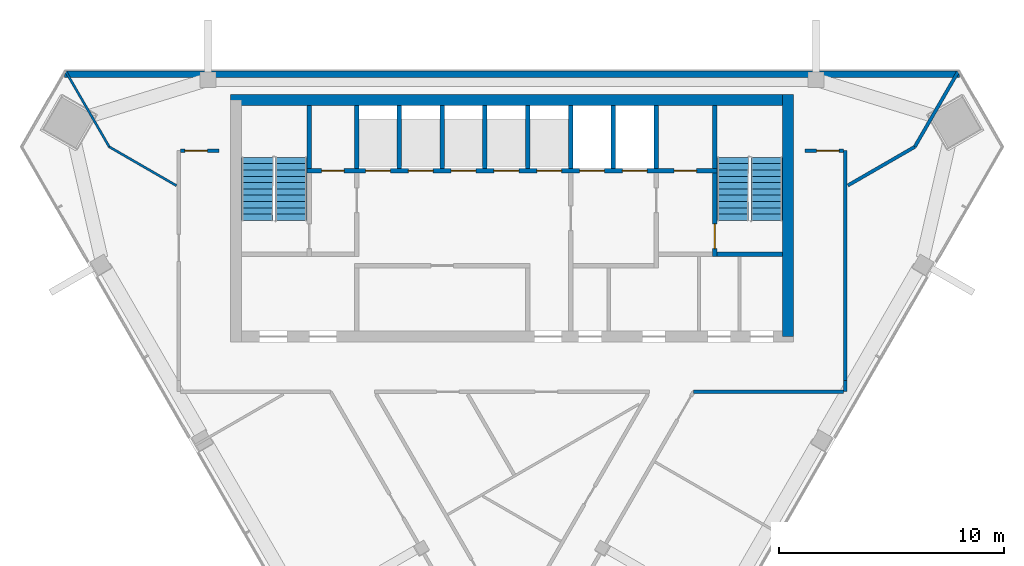
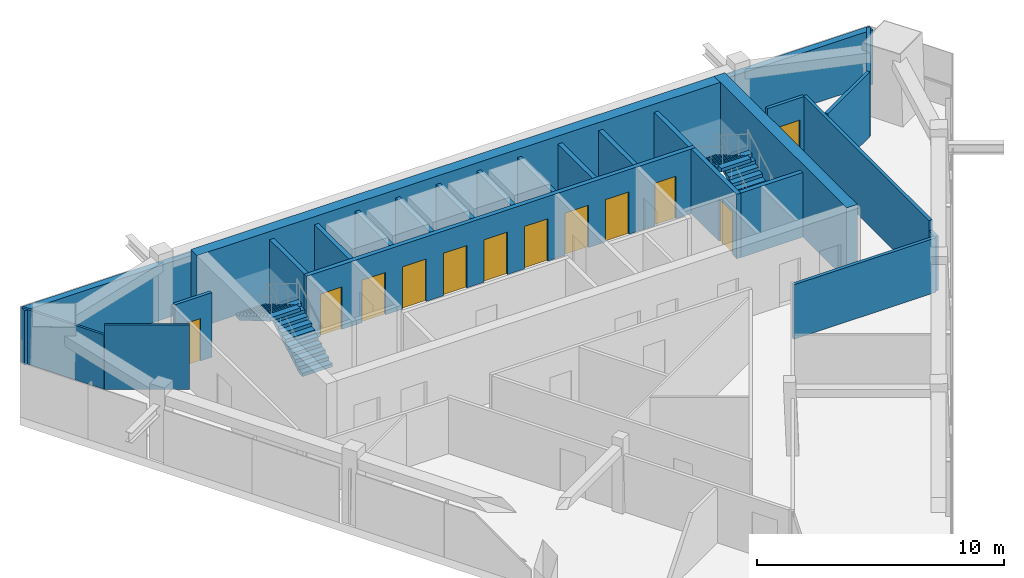
# One storey, part 7 of 9: 25 walls, 12 doors, 4 stair flights, 12 openings, 2 elements without a shape of their own.
"""IFC4 building model written with IfcOpenShell, lengths in metres."""

import ifcopenshell
import ifcopenshell.guid

model = None  # the IFC model being written
_history = None  # IfcOwnerHistory: only IFC2X3 demands one
_inside = {}  # id of a spatial element -> (the spatial element, [elements in it])
_under = {}  # id of a project, library or spatial element -> (it, [spatial elements below it])
_declared = {}  # id of a project -> (the project, [libraries it declares])
_typed = {}  # id of a type object -> (the type object, [elements of that type])
_made_of = {}  # id of a material, layer set ... -> (it, [elements and type objects made of it])


def new_model(schema):
    """Start an empty IFC model of exactly this schema.

    Asked for "IFC4X3", IfcOpenShell would pick the latest addendum, in which some entities
    have other attributes; the version numbers below select the first issue.
    IFC2X3 requires an IfcOwnerHistory on every rooted entity: one is made here for all.
    """
    global model, _history
    if schema == "IFC4X3":
        model = ifcopenshell.file(schema_version=(4, 3, 0, 0))
    else:
        model = ifcopenshell.file(schema=schema)
    _inside.clear()
    _under.clear()
    _declared.clear()
    _typed.clear()
    _made_of.clear()
    _history = None
    if model.schema == "IFC2X3":
        org = make("IfcOrganization", Name="unknown")
        user = make(
            "IfcPersonAndOrganization",
            ThePerson=make("IfcPerson", FamilyName="unknown"),
            TheOrganization=org,
        )
        app = make(
            "IfcApplication",
            ApplicationDeveloper=org,
            Version="unknown",
            ApplicationFullName="unknown",
            ApplicationIdentifier="unknown",
        )
        _history = make(
            "IfcOwnerHistory",
            OwningUser=user,
            OwningApplication=app,
            ChangeAction="ADDED",
            CreationDate=0,
        )
    return model


def make(cls, **values):
    """One entity of the class cls with the attributes given. An attribute that is None is left unset."""
    return model.create_entity(
        cls, **{name: value for name, value in values.items() if value is not None}
    )


def rooted(cls, **values):
    """An entity with a GlobalId (a new one), such as an element, a storey or a relation."""
    return make(cls, GlobalId=ifcopenshell.guid.new(), OwnerHistory=_history, **values)


def si_unit(unit_type, name, prefix=None):
    """IfcSIUnit, for example si_unit("LENGTHUNIT", "METRE", prefix="MILLI")."""
    return make("IfcSIUnit", UnitType=unit_type, Prefix=prefix, Name=name)


def assignment(units):
    """IfcUnitAssignment: the units of a project."""
    return None if units is None else make("IfcUnitAssignment", Units=units)


def point(xyz):
    """IfcCartesianPoint."""
    return None if xyz is None else make("IfcCartesianPoint", Coordinates=xyz)


def direction(xyz):
    """IfcDirection."""
    return None if xyz is None else make("IfcDirection", DirectionRatios=xyz)


def frame(location, z_axis=None, x_axis=None):
    """IfcAxis2Placement3D, a coordinate frame: its origin and axes. An axis left out is left unset."""
    return make(
        "IfcAxis2Placement3D",
        Location=point(location),
        Axis=direction(z_axis),
        RefDirection=direction(x_axis),
    )


def frame_2d(location, x_axis=None):
    """IfcAxis2Placement2D, a coordinate frame in the plane: its origin and x axis."""
    return make(
        "IfcAxis2Placement2D", Location=point(location), RefDirection=direction(x_axis)
    )


def origin():
    """The frame at (0, 0, 0) with its axes left unset."""
    return frame((0.0, 0.0, 0.0))


def place(relative_to, where):
    """IfcLocalPlacement: puts the frame where relative to a parent placement (None: the world)."""
    return make(
        "IfcLocalPlacement", PlacementRelTo=relative_to, RelativePlacement=where
    )


def context(
    kind, dimensions, precision=None, world=None, true_north=None, identifier=None
):
    """IfcGeometricRepresentationContext, for example the 3D "Model" context."""
    return make(
        "IfcGeometricRepresentationContext",
        ContextIdentifier=identifier,
        ContextType=kind,
        CoordinateSpaceDimension=dimensions,
        Precision=precision,
        WorldCoordinateSystem=world,
        TrueNorth=true_north,
    )


def subcontext(parent, identifier, kind, view, scale=None):
    """IfcGeometricRepresentationSubContext, for example "Body" below "Model"."""
    return make(
        "IfcGeometricRepresentationSubContext",
        ContextIdentifier=identifier,
        ContextType=kind,
        ParentContext=parent,
        TargetScale=scale,
        TargetView=view,
    )


def project(units=None, contexts=None):
    """IfcProject with its units and contexts."""
    return rooted(
        "IfcProject",
        Name="project",
        RepresentationContexts=contexts,
        UnitsInContext=assignment(units),
    )


def spatial(cls, under=None, at=None, **own):
    """A site, building, storey or space (cls), placed at a placement, below another one or the project."""
    s = rooted(cls, ObjectPlacement=at, **own)
    if under is not None:
        _under.setdefault(under.id(), (under, []))[1].append(s)
    return s


def polyline(points):
    """IfcPolyline through the points."""
    return make("IfcPolyline", Points=[point(p) for p in points])


def profile(cls, at=None, kind="AREA", **sizes):
    """A parametric profile (cls). Its sizes go by their IFC names, for example OverallWidth=200.0."""
    return make(cls, ProfileType=kind, Position=at, **sizes)


def rectangle(**sizes):
    """IfcRectangleProfileDef."""
    return profile("IfcRectangleProfileDef", **sizes)


def outline(outer, holes=None, kind="AREA"):
    """IfcArbitraryClosedProfileDef: a profile drawn as a closed curve; with holes, ...WithVoids."""
    if holes is None:
        return make("IfcArbitraryClosedProfileDef", ProfileType=kind, OuterCurve=outer)
    return make(
        "IfcArbitraryProfileDefWithVoids",
        ProfileType=kind,
        OuterCurve=outer,
        InnerCurves=holes,
    )


def extrude(swept, where, along, depth):
    """IfcExtrudedAreaSolid: the profile swept, set in the frame where, extruded along a direction by depth."""
    return make(
        "IfcExtrudedAreaSolid",
        SweptArea=swept,
        Position=where,
        ExtrudedDirection=direction(along),
        Depth=depth,
    )


def shape(context_of_items, identifier, shape_type, items):
    """IfcShapeRepresentation: the items that make up one representation, for example the "Body"."""
    return make(
        "IfcShapeRepresentation",
        ContextOfItems=context_of_items,
        RepresentationIdentifier=identifier,
        RepresentationType=shape_type,
        Items=items,
    )


def material(Name=None, Category=None):
    """IfcMaterial."""
    return make("IfcMaterial", Name=Name, Category=Category)


def layer(
    of_material, thickness, ventilated=None, Name=None, Category=None, Priority=None
):
    """IfcMaterialLayer: one layer of a wall or slab, of a material (None: an air gap)."""
    return make(
        "IfcMaterialLayer",
        Material=of_material,
        LayerThickness=thickness,
        IsVentilated=ventilated,
        Name=Name,
        Category=Category,
        Priority=Priority,
    )


def layer_set(layers, Name=None):
    """IfcMaterialLayerSet."""
    return make("IfcMaterialLayerSet", MaterialLayers=layers, LayerSetName=Name)


def made_of(thing, what):
    """Note that an element or type object is made of a material, layer set ...; save() writes the relation."""
    if what is not None:
        _made_of.setdefault(what.id(), (what, []))[1].append(thing)
    return thing


def type_object(cls, material=None, **own):
    """A type object (cls), such as IfcWallType, which elements share."""
    return made_of(rooted(cls, **own), material)


def element(
    cls,
    number,
    at=None,
    inside=None,
    cuts=None,
    type_object=None,
    material=None,
    context=None,
    identifier="Body",
    shape_type=None,
    held_by="IfcProductDefinitionShape",
    body=None,
    shapes=None,
    **own,
):
    """One element of the class cls, such as IfcWall. Its Tag is "e" and its number.

    at: its placement. inside: the storey or other place that contains it. cuts: it is an
    opening in that element (IfcRelVoidsElement). A single representation is given by context,
    identifier, shape_type and body (its items); several are given by shapes. held_by: the class
    of the entity that holds the representations. save() writes the other relations.
    """
    e = rooted(cls, Tag="e%d" % number, ObjectPlacement=at, **own)
    if body is not None:
        shapes = [shape(context, identifier, shape_type, body)]
    if shapes is not None:
        e.Representation = make(held_by, Representations=shapes)
    if inside is not None:
        _inside.setdefault(inside.id(), (inside, []))[1].append(e)
    if cuts is not None:
        rooted(
            "IfcRelVoidsElement", RelatingBuildingElement=cuts, RelatedOpeningElement=e
        )
    if type_object is not None:
        _typed.setdefault(type_object.id(), (type_object, []))[1].append(e)
    return made_of(e, material)


def fill(opening, filler):
    """IfcRelFillsElement: the door or window that sits in an opening."""
    return rooted(
        "IfcRelFillsElement",
        RelatingOpeningElement=opening,
        RelatedBuildingElement=filler,
    )


def aggregate(whole, parts):
    """IfcRelAggregates: a whole, such as a stair, and the parts it consists of."""
    return rooted("IfcRelAggregates", RelatingObject=whole, RelatedObjects=parts)


def save(model, path):
    """Write the relations noted so far, then the file.

    IfcRelAggregates (storeys below a building ...), IfcRelContainedInSpatialStructure (elements
    in a storey), IfcRelDefinesByType, IfcRelAssociatesMaterial and IfcRelDeclares: one each for
    every whole, place, type object, material and project.
    """
    for whole, parts in _under.values():
        aggregate(whole, parts)
    for where, things in _inside.values():
        rooted(
            "IfcRelContainedInSpatialStructure",
            RelatedElements=things,
            RelatingStructure=where,
        )
    for kind, things in _typed.values():
        rooted("IfcRelDefinesByType", RelatedObjects=things, RelatingType=kind)
    for what, things in _made_of.values():
        rooted("IfcRelAssociatesMaterial", RelatedObjects=things, RelatingMaterial=what)
    for by, libraries in _declared.values():
        rooted("IfcRelDeclares", RelatingContext=by, RelatedDefinitions=libraries)
    model.write(path)


model = new_model("IFC4")

# Units and contexts
model_context = context("Model", 3, precision=1e-05, world=origin(), true_north=direction((0.0, 1.0)))
body_context = subcontext(model_context, "Body", "Model", "MODEL_VIEW")
ifc_project = project(units=[si_unit("LENGTHUNIT", "METRE"), si_unit("AREAUNIT", "SQUARE_METRE"), si_unit("VOLUMEUNIT", "CUBIC_METRE"), si_unit("PLANEANGLEUNIT", "RADIAN"), si_unit("MASSUNIT", "GRAM", prefix="KILO")], contexts=[model_context])

# Site, building, storey
site_placement = place(None, origin())
site = spatial("IfcSite", under=ifc_project, at=site_placement, CompositionType="ELEMENT")
building_placement = place(site_placement, origin())
building = spatial("IfcBuilding", under=site, at=building_placement, Name="Altiplano Prism Tower", CompositionType="ELEMENT")
storey_placement = place(building_placement, frame((0.0, 0.0, 309.39990234375)))
storey = spatial("IfcBuildingStorey", under=building, at=storey_placement, Name="L80", CompositionType="ELEMENT", Elevation=309.39990234375)

# Walls
ifc_material_1 = material(Name="Concrete C60/75", Category="concrete")
ifc_layer_1 = layer(ifc_material_1, 0.5)
ifc_layer_set_1 = layer_set([ifc_layer_1], Name="Concrete C60/75")
wall_type_1 = type_object("IfcWallType", Name="Core wall 500", PredefinedType="SHEAR", material=ifc_layer_set_1)
wall_1_placement = place(storey_placement, frame((97.25, 93.14990234375, 0.0), z_axis=(0.0, 0.0, 1.0), x_axis=(0.0, 1.0, 0.0)))
element("IfcWall", 1, at=wall_1_placement, inside=storey, type_object=wall_type_1, Name="Core wall E L80", PredefinedType="SHEAR", context=body_context, shape_type="SweptSolid", body=[
    extrude(rectangle(XDim=10.75, YDim=0.5, at=frame_2d((5.375, 0.0))), origin(), (0.0, 0.0, 1.0), 3.60009765625),
])
wall_2_placement = place(storey_placement, frame((97.25, 103.64990234375, 0.0), z_axis=(0.0, 0.0, 1.0), x_axis=(-1.0, 0.0, 0.0)))
element("IfcWall", 2, at=wall_2_placement, inside=storey, type_object=wall_type_1, Name="Core wall N L80", PredefinedType="SHEAR", context=body_context, shape_type="SweptSolid", body=[
    extrude(rectangle(XDim=24.75, YDim=0.5, at=frame_2d((12.375, 0.0))), origin(), (0.0, 0.0, 1.0), 3.60009765625),
])
ifc_material_2 = material(Name="Plasterboard on steel stud", Category="steel")
ifc_layer_2 = layer(ifc_material_2, 0.10009765625)
ifc_layer_set_2 = layer_set([ifc_layer_2], Name="Plasterboard on steel stud")
wall_type_2 = type_object("IfcWallType", Name="Partition 100 wet", PredefinedType="PARTITIONING", material=ifc_layer_set_2)
wall_3_placement = place(storey_placement, frame((70.099365234375, 99.848388671875, 0.0), z_axis=(0.0, 0.0, 1.0), x_axis=(-0.866042610766, 0.499970195449, 0.0)))
element("IfcWall", 3, at=wall_3_placement, inside=storey, type_object=wall_type_2, Name="Partition P03 L80 017", PredefinedType="PARTITIONING", context=body_context, shape_type="SweptSolid", body=[
    extrude(rectangle(XDim=3.440673828125, YDim=0.10009765625, at=frame_2d((1.72021484375, 0.0))), origin(), (0.0, 0.0, 1.0), 3.2001953125),
])
wall_4_placement = place(storey_placement, frame((67.11962890625, 101.568603515625, 0.0), z_axis=(0.0, 0.0, 1.0), x_axis=(-0.500002645523, 0.866023876385, 0.0)))
element("IfcWall", 4, at=wall_4_placement, inside=storey, type_object=wall_type_2, Name="Partition P03 L80 018", PredefinedType="PARTITIONING", context=body_context, shape_type="SweptSolid", body=[
    extrude(rectangle(XDim=3.8466796875, YDim=0.10009765625, at=frame_2d((1.92333984375, 0.0))), origin(), (0.0, 0.0, 1.0), 2.7001953125),
])
ifc_layer_3 = layer(ifc_material_2, 0.14990234375)
ifc_layer_set_3 = layer_set([ifc_layer_3], Name="Plasterboard on steel stud")
wall_type_3 = type_object("IfcWallType", Name="Partition 150 corridor", PredefinedType="PARTITIONING", material=ifc_layer_set_3)
wall_5_placement = place(storey_placement, frame((93.06201171875, 90.699951171875, 0.0), z_axis=(0.0, 0.0, 1.0), x_axis=(1.0, 0.0, 0.0)))
element("IfcWall", 5, at=wall_5_placement, inside=storey, type_object=wall_type_3, Name="Partition P06 L80 007", PredefinedType="PARTITIONING", context=body_context, shape_type="SweptSolid", body=[
    extrude(rectangle(XDim=6.6630859375, YDim=0.14990234375, at=frame_2d((3.33154296875, 0.0))), origin(), (0.0, 0.0, 1.0), 2.7001953125),
])
wall_6_placement = place(storey_placement, frame((99.800048828125, 90.699951171875, 0.0), z_axis=(0.0, 0.0, 1.0), x_axis=(0.0, 1.0, 0.0)))
element("IfcWall", 6, at=wall_6_placement, inside=storey, type_object=wall_type_3, Name="Partition P06 L80 008", PredefinedType="PARTITIONING", context=body_context, shape_type="SweptSolid", body=[
    extrude(rectangle(XDim=0.48779296875, YDim=0.14990234375, at=frame_2d((0.243896484375, 0.0))), origin(), (0.0, 0.0, 1.0), 2.7001953125),
])
wall_7_placement = place(storey_placement, frame((99.800048828125, 91.187744140625, 0.0), z_axis=(0.0, 0.0, 1.0), x_axis=(4.7809146e-05, 0.999999998857, 0.0)))
element("IfcWall", 7, at=wall_7_placement, inside=storey, type_object=wall_type_3, Name="Partition P06 L80 009", PredefinedType="PARTITIONING", context=body_context, shape_type="SweptSolid", body=[
    extrude(rectangle(XDim=10.213134765625, YDim=0.14990234375, at=frame_2d((5.1064453125, 0.0))), origin(), (0.0, 0.0, 1.0), 3.2001953125),
])

# Wall, opening, door
wall_8_placement = place(storey_placement, frame((99.7255859375, 101.40087890625, 0.0), z_axis=(0.0, 0.0, 1.0), x_axis=(-1.0, 0.0, 0.0)))
wall_8 = element("IfcWall", 8, at=wall_8_placement, inside=storey, type_object=wall_type_3, Name="Partition P06 L80 010", PredefinedType="PARTITIONING", context=body_context, shape_type="SweptSolid", body=[
    extrude(rectangle(XDim=1.7255859375, YDim=0.14990234375, at=frame_2d((0.86279296875, 0.0))), origin(), (0.0, 0.0, 1.0), 3.2001953125),
])
opening_1_placement = place(wall_8_placement, frame((0.199951171875, 0.0, 0.0)))
opening_1 = element("IfcOpeningElement", 9, at=opening_1_placement, cuts=wall_8, Name="Opening D2387", PredefinedType="OPENING", context=body_context, shape_type="SweptSolid", body=[
    extrude(rectangle(XDim=1.0, YDim=2.10009765625, at=frame_2d((0.5, 1.050048828125))), frame((0.0, 0.08544921875, 0.0), z_axis=(0.0, -1.0, 0.0), x_axis=(1.0, 0.0, 0.0)), (0.0, 0.0, 1.0), 0.1708984375),
])
ifc_material_3 = material(Name="Timber", Category="wood")
door_type_1 = type_object("IfcDoorType", Name="Room door 1000 x 2100", OperationType="NOTDEFINED", PredefinedType="NOTDEFINED", material=ifc_material_3)
door_1_placement = place(opening_1_placement, origin())
door_1 = element("IfcDoor", 10, at=door_1_placement, inside=storey, type_object=door_type_1, Name="Door D2387", OperationType="SINGLE_SWING_LEFT", OverallHeight=2.10009765625, OverallWidth=1.0, PredefinedType="NOTDEFINED", context=body_context, shape_type="SweptSolid", body=[
    extrude(rectangle(XDim=1.0, YDim=2.10009765625, at=frame_2d((0.5, 1.050048828125))), frame((0.0, 0.02490234375, 0.0), z_axis=(0.0, -1.0, 0.0), x_axis=(1.0, 0.0, 0.0)), (0.0, 0.0, 1.0), 0.050048828125),
])
fill(opening_1, door_1)

wall_9_placement = place(storey_placement, frame((72.0, 101.40087890625, 0.0), z_axis=(0.0, 0.0, 1.0), x_axis=(-1.0, 0.0, 0.0)))
wall_9 = element("IfcWall", 11, at=wall_9_placement, inside=storey, type_object=wall_type_3, Name="Partition P06 L80 011", PredefinedType="PARTITIONING", context=body_context, shape_type="SweptSolid", body=[
    extrude(rectangle(XDim=1.7255859375, YDim=0.14990234375, at=frame_2d((0.86279296875, 0.0))), origin(), (0.0, 0.0, 1.0), 3.2001953125),
])
opening_2_placement = place(wall_9_placement, frame((0.52587890625, 0.0, 0.0)))
opening_2 = element("IfcOpeningElement", 12, at=opening_2_placement, cuts=wall_9, Name="Opening D2388", PredefinedType="OPENING", context=body_context, shape_type="SweptSolid", body=[
    extrude(rectangle(XDim=1.0, YDim=2.10009765625, at=frame_2d((0.5, 1.050048828125))), frame((0.0, 0.08544921875, 0.0), z_axis=(0.0, -1.0, 0.0), x_axis=(1.0, 0.0, 0.0)), (0.0, 0.0, 1.0), 0.1708984375),
])
door_type_2 = type_object("IfcDoorType", Name="Store door 1000 x 2100", OperationType="NOTDEFINED", PredefinedType="NOTDEFINED", material=ifc_material_3)
door_2_placement = place(opening_2_placement, origin())
door_2 = element("IfcDoor", 13, at=door_2_placement, inside=storey, type_object=door_type_2, Name="Door D2388", OperationType="SINGLE_SWING_LEFT", OverallHeight=2.10009765625, OverallWidth=1.0, PredefinedType="NOTDEFINED", context=body_context, shape_type="SweptSolid", body=[
    extrude(rectangle(XDim=1.0, YDim=2.10009765625, at=frame_2d((0.5, 1.050048828125))), frame((0.0, 0.02490234375, 0.0), z_axis=(0.0, -1.0, 0.0), x_axis=(1.0, 0.0, 0.0)), (0.0, 0.0, 1.0), 0.050048828125),
])
fill(opening_2, door_2)

# Walls
ifc_layer_4 = layer(ifc_material_2, 0.14990234375)
ifc_layer_set_4 = layer_set([ifc_layer_4], Name="Plasterboard on steel stud")
wall_type_4 = type_object("IfcWallType", Name="Partition 150 party", PredefinedType="PARTITIONING", material=ifc_layer_set_4)
wall_10_placement = place(storey_placement, frame((104.8037109375, 104.89990234375, 0.0), z_axis=(0.0, 0.0, 1.0), x_axis=(-0.500002645523, -0.866023876385, 0.0)))
element("IfcWall", 14, at=wall_10_placement, inside=storey, type_object=wall_type_4, Name="Partition P01 L80 023", PredefinedType="PARTITIONING", context=body_context, shape_type="SweptSolid", body=[
    extrude(rectangle(XDim=3.8466796875, YDim=0.14990234375, at=frame_2d((1.92333984375, 0.0))), origin(), (0.0, 0.0, 1.0), 2.7001953125),
])
wall_11_placement = place(storey_placement, frame((102.88037109375, 101.568603515625, 0.0), z_axis=(0.0, 0.0, 1.0), x_axis=(-0.86602895729, -0.499993845097, 0.0)))
element("IfcWall", 15, at=wall_11_placement, inside=storey, type_object=wall_type_4, Name="Partition P01 L80 024", PredefinedType="PARTITIONING", context=body_context, shape_type="SweptSolid", body=[
    extrude(rectangle(XDim=3.42626953125, YDim=0.14990234375, at=frame_2d((1.713134765625, 0.0))), origin(), (0.0, 0.0, 1.0), 3.2001953125),
])
ifc_layer_5 = layer(ifc_material_1, 0.199951171875)
ifc_layer_set_5 = layer_set([ifc_layer_5], Name="Concrete C60/75")
wall_type_5 = type_object("IfcWallType", Name="Shaft wall 200", PredefinedType="SOLIDWALL", material=ifc_layer_set_5)
for number, where, z_axis, x_axis, name in (
    (16, (78.10009765625, 100.60009765625, 0.0), (0.0, 0.0, 1.0), (0.0, 1.0, 0.0), "Shaft wall L80"),
    (17, (80.0, 100.60009765625, 0.0), (0.0, 0.0, 1.0), (0.0, 1.0, 0.0), "Shaft wall L80"),
    (18, (81.89990234375, 100.60009765625, 0.0), (0.0, 0.0, 1.0), (0.0, 1.0, 0.0), "Shaft wall L80"),
    (19, (83.800048828125, 100.60009765625, 0.0), (0.0, 0.0, 1.0), (0.0, 1.0, 0.0), "Shaft wall L80"),
    (20, (85.699951171875, 100.60009765625, 0.0), (0.0, 0.0, 1.0), (0.0, 1.0, 0.0), "Shaft wall L80"),
    (21, (87.60009765625, 100.60009765625, 0.0), (0.0, 0.0, 1.0), (0.0, 1.0, 0.0), "Shaft wall L80"),
    (22, (89.5, 100.60009765625, 0.0), (0.0, 0.0, 1.0), (0.0, 1.0, 0.0), "Shaft wall L80"),
    (23, (91.39990234375, 100.60009765625, 0.0), (0.0, 0.0, 1.0), (0.0, 1.0, 0.0), "Shaft wall L80"),
):
    element("IfcWall", number, at=place(storey_placement, frame(where, z_axis=z_axis, x_axis=x_axis)), inside=storey, type_object=wall_type_5, Name=name, PredefinedType="SOLIDWALL", context=body_context, shape_type="SweptSolid", body=[
        extrude(rectangle(XDim=2.7998046875, YDim=0.199951171875, at=frame_2d((1.39990234375, 0.0))), origin(), (0.0, 0.0, 1.0), 3.2001953125),
    ])

# Wall, opening, door
ifc_layer_6 = layer(ifc_material_1, 0.199951171875)
ifc_layer_set_6 = layer_set([ifc_layer_6], Name="Concrete C60/75")
wall_type_6 = type_object("IfcWallType", Name="Stair wall 200", PredefinedType="SOLIDWALL", material=ifc_layer_set_6)
wall_12_placement = place(storey_placement, frame((94.0, 96.699951171875, 0.0), z_axis=(0.0, 0.0, 1.0), x_axis=(0.0, 1.0, 0.0)))
wall_12 = element("IfcWall", 24, at=wall_12_placement, inside=storey, type_object=wall_type_6, Name="Stair wall L80", PredefinedType="SOLIDWALL", context=body_context, shape_type="SweptSolid", body=[
    extrude(rectangle(XDim=3.699951171875, YDim=0.199951171875, at=frame_2d((1.85009765625, 0.0))), origin(), (0.0, 0.0, 1.0), 3.2001953125),
])
opening_3_placement = place(wall_12_placement, frame((0.35009765625, 0.0, 0.0)))
opening_3 = element("IfcOpeningElement", 25, at=opening_3_placement, cuts=wall_12, Name="Opening D3709", PredefinedType="OPENING", context=body_context, shape_type="SweptSolid", body=[
    extrude(rectangle(XDim=1.10009765625, YDim=2.10009765625, at=frame_2d((0.550048828125, 1.050048828125))), frame((0.0, 0.1103515625, 0.0), z_axis=(0.0, -1.0, 0.0), x_axis=(1.0, 0.0, 0.0)), (0.0, 0.0, 1.0), 0.220947265625),
])
ifc_material_4 = material(Name="Fire-rated steel door", Category="steel")
door_type_3 = type_object("IfcDoorType", Name="Stair fire door 1100 x 2100", OperationType="NOTDEFINED", PredefinedType="NOTDEFINED", material=ifc_material_4)
door_3_placement = place(opening_3_placement, origin())
door_3 = element("IfcDoor", 26, at=door_3_placement, inside=storey, type_object=door_type_3, Name="Stair fire door D3709", OperationType="SINGLE_SWING_LEFT", OverallHeight=2.10009765625, OverallWidth=1.10009765625, PredefinedType="NOTDEFINED", context=body_context, shape_type="SweptSolid", body=[
    extrude(rectangle(XDim=1.10009765625, YDim=2.10009765625, at=frame_2d((0.550048828125, 1.050048828125))), frame((0.0, 0.02490234375, 0.0), z_axis=(0.0, -1.0, 0.0), x_axis=(1.0, 0.0, 0.0)), (0.0, 0.0, 1.0), 0.050048828125),
])
fill(opening_3, door_3)

# Wall
wall_13_placement = place(storey_placement, frame((94.10009765625, 96.800048828125, 0.0), z_axis=(0.0, 0.0, 1.0), x_axis=(1.0, 0.0, 0.0)))
element("IfcWall", 27, at=wall_13_placement, inside=storey, type_object=wall_type_6, Name="Stair wall L80", PredefinedType="SOLIDWALL", context=body_context, shape_type="SweptSolid", body=[
    extrude(rectangle(XDim=2.89990234375, YDim=0.199951171875, at=frame_2d((1.449951171875, 0.0))), origin(), (0.0, 0.0, 1.0), 3.2001953125),
])

# Wall, openings, doors
wall_14_placement = place(storey_placement, frame((75.89990234375, 100.5, 0.0), z_axis=(0.0, 0.0, 1.0), x_axis=(1.0, 0.0, 0.0)))
wall_14 = element("IfcWall", 28, at=wall_14_placement, inside=storey, type_object=wall_type_6, Name="Stair wall L80", PredefinedType="SOLIDWALL", context=body_context, shape_type="SweptSolid", body=[
    extrude(rectangle(XDim=18.2001953125, YDim=0.199951171875, at=frame_2d((9.10009765625, 0.0))), origin(), (0.0, 0.0, 1.0), 3.2001953125),
])
opening_4_placement = place(wall_14_placement, frame((2.60009765625, 0.0, 0.0)))
opening_4 = element("IfcOpeningElement", 29, at=opening_4_placement, cuts=wall_14, Name="Opening LD-HL1-L80", PredefinedType="OPENING", context=body_context, shape_type="SweptSolid", body=[
    extrude(rectangle(XDim=1.10009765625, YDim=2.10009765625, at=frame_2d((0.550048828125, 1.050048828125))), frame((0.0, 0.1103515625, 0.0), z_axis=(0.0, -1.0, 0.0), x_axis=(1.0, 0.0, 0.0)), (0.0, 0.0, 1.0), 0.220947265625),
])
opening_5_placement = place(wall_14_placement, frame((4.5, 0.0, 0.0)))
opening_5 = element("IfcOpeningElement", 30, at=opening_5_placement, cuts=wall_14, Name="Opening LD-HL2-L80", PredefinedType="OPENING", context=body_context, shape_type="SweptSolid", body=[
    extrude(rectangle(XDim=1.10009765625, YDim=2.10009765625, at=frame_2d((0.550048828125, 1.050048828125))), frame((0.0, 0.1103515625, 0.0), z_axis=(0.0, -1.0, 0.0), x_axis=(1.0, 0.0, 0.0)), (0.0, 0.0, 1.0), 0.220947265625),
])
opening_6_placement = place(wall_14_placement, frame((6.39990234375, 0.0, 0.0)))
opening_6 = element("IfcOpeningElement", 31, at=opening_6_placement, cuts=wall_14, Name="Opening LD-HL3-L80", PredefinedType="OPENING", context=body_context, shape_type="SweptSolid", body=[
    extrude(rectangle(XDim=1.10009765625, YDim=2.10009765625, at=frame_2d((0.550048828125, 1.050048828125))), frame((0.0, 0.1103515625, 0.0), z_axis=(0.0, -1.0, 0.0), x_axis=(1.0, 0.0, 0.0)), (0.0, 0.0, 1.0), 0.220947265625),
])
opening_7_placement = place(wall_14_placement, frame((8.300048828125, 0.0, 0.0)))
opening_7 = element("IfcOpeningElement", 32, at=opening_7_placement, cuts=wall_14, Name="Opening LD-HL4-L80", PredefinedType="OPENING", context=body_context, shape_type="SweptSolid", body=[
    extrude(rectangle(XDim=1.10009765625, YDim=2.10009765625, at=frame_2d((0.550048828125, 1.050048828125))), frame((0.0, 0.1103515625, 0.0), z_axis=(0.0, -1.0, 0.0), x_axis=(1.0, 0.0, 0.0)), (0.0, 0.0, 1.0), 0.220947265625),
])
opening_8_placement = place(wall_14_placement, frame((10.199951171875, 0.0, 0.0)))
opening_8 = element("IfcOpeningElement", 33, at=opening_8_placement, cuts=wall_14, Name="Opening LD-HL5-L80", PredefinedType="OPENING", context=body_context, shape_type="SweptSolid", body=[
    extrude(rectangle(XDim=1.10009765625, YDim=2.10009765625, at=frame_2d((0.550048828125, 1.050048828125))), frame((0.0, 0.1103515625, 0.0), z_axis=(0.0, -1.0, 0.0), x_axis=(1.0, 0.0, 0.0)), (0.0, 0.0, 1.0), 0.220947265625),
])
opening_9_placement = place(wall_14_placement, frame((12.10009765625, 0.0, 0.0)))
opening_9 = element("IfcOpeningElement", 34, at=opening_9_placement, cuts=wall_14, Name="Opening LD-FF1-L80", PredefinedType="OPENING", context=body_context, shape_type="SweptSolid", body=[
    extrude(rectangle(XDim=1.10009765625, YDim=2.10009765625, at=frame_2d((0.550048828125, 1.050048828125))), frame((0.0, 0.1103515625, 0.0), z_axis=(0.0, -1.0, 0.0), x_axis=(1.0, 0.0, 0.0)), (0.0, 0.0, 1.0), 0.220947265625),
])
opening_10_placement = place(wall_14_placement, frame((14.0, 0.0, 0.0)))
opening_10 = element("IfcOpeningElement", 35, at=opening_10_placement, cuts=wall_14, Name="Opening LD-FF2-L80", PredefinedType="OPENING", context=body_context, shape_type="SweptSolid", body=[
    extrude(rectangle(XDim=1.10009765625, YDim=2.10009765625, at=frame_2d((0.550048828125, 1.050048828125))), frame((0.0, 0.1103515625, 0.0), z_axis=(0.0, -1.0, 0.0), x_axis=(1.0, 0.0, 0.0)), (0.0, 0.0, 1.0), 0.220947265625),
])
opening_11_placement = place(wall_14_placement, frame((0.64990234375, 0.0, 0.0)))
opening_11 = element("IfcOpeningElement", 36, at=opening_11_placement, cuts=wall_14, Name="Opening D3716", PredefinedType="OPENING", context=body_context, shape_type="SweptSolid", body=[
    extrude(rectangle(XDim=1.0, YDim=2.10009765625, at=frame_2d((0.5, 1.050048828125))), frame((0.0, 0.1103515625, 0.0), z_axis=(0.0, -1.0, 0.0), x_axis=(1.0, 0.0, 0.0)), (0.0, 0.0, 1.0), 0.220947265625),
])
opening_12_placement = place(wall_14_placement, frame((16.300048828125, 0.0, 0.0)))
opening_12 = element("IfcOpeningElement", 37, at=opening_12_placement, cuts=wall_14, Name="Opening D3717", PredefinedType="OPENING", context=body_context, shape_type="SweptSolid", body=[
    extrude(rectangle(XDim=1.0, YDim=2.10009765625, at=frame_2d((0.5, 1.050048828125))), frame((0.0, 0.1103515625, 0.0), z_axis=(0.0, -1.0, 0.0), x_axis=(1.0, 0.0, 0.0)), (0.0, 0.0, 1.0), 0.220947265625),
])
door_type_4 = type_object("IfcDoorType", Name="Core room door 1000 x 2100", OperationType="NOTDEFINED", PredefinedType="NOTDEFINED", material=ifc_material_4)
door_4_placement = place(opening_11_placement, origin())
door_4 = element("IfcDoor", 38, at=door_4_placement, inside=storey, type_object=door_type_4, Name="Core room door D3716", OperationType="SINGLE_SWING_LEFT", OverallHeight=2.10009765625, OverallWidth=1.0, PredefinedType="NOTDEFINED", context=body_context, shape_type="SweptSolid", body=[
    extrude(rectangle(XDim=1.0, YDim=2.10009765625, at=frame_2d((0.5, 1.050048828125))), frame((0.0, 0.02490234375, 0.0), z_axis=(0.0, -1.0, 0.0), x_axis=(1.0, 0.0, 0.0)), (0.0, 0.0, 1.0), 0.050048828125),
])
fill(opening_11, door_4)
door_5_placement = place(opening_12_placement, origin())
door_5 = element("IfcDoor", 39, at=door_5_placement, inside=storey, type_object=door_type_4, Name="Core room door D3717", OperationType="SINGLE_SWING_RIGHT", OverallHeight=2.10009765625, OverallWidth=1.0, PredefinedType="NOTDEFINED", context=body_context, shape_type="SweptSolid", body=[
    extrude(rectangle(XDim=1.0, YDim=2.10009765625, at=frame_2d((0.5, 1.050048828125))), frame((0.0, 0.02490234375, 0.0), z_axis=(0.0, -1.0, 0.0), x_axis=(1.0, 0.0, 0.0)), (0.0, 0.0, 1.0), 0.050048828125),
])
fill(opening_12, door_5)
ifc_material_5 = material(Name="Stainless steel landing door", Category="steel")
door_type_5 = type_object("IfcDoorType", Name="Landing door 1100 x 2100", OperationType="NOTDEFINED", PredefinedType="NOTDEFINED", material=ifc_material_5)
door_6_placement = place(opening_4_placement, origin())
door_6 = element("IfcDoor", 40, at=door_6_placement, inside=storey, type_object=door_type_5, Name="Landing doors HL1", OperationType="SLIDING_TO_RIGHT", OverallHeight=2.10009765625, OverallWidth=1.10009765625, PredefinedType="NOTDEFINED", context=body_context, shape_type="SweptSolid", body=[
    extrude(rectangle(XDim=1.10009765625, YDim=2.10009765625, at=frame_2d((0.550048828125, 1.050048828125))), frame((0.0, 0.02490234375, 0.0), z_axis=(0.0, -1.0, 0.0), x_axis=(1.0, 0.0, 0.0)), (0.0, 0.0, 1.0), 0.050048828125),
])
fill(opening_4, door_6)
door_7_placement = place(opening_5_placement, origin())
door_7 = element("IfcDoor", 41, at=door_7_placement, inside=storey, type_object=door_type_5, Name="Landing doors HL2", OperationType="SLIDING_TO_LEFT", OverallHeight=2.10009765625, OverallWidth=1.10009765625, PredefinedType="NOTDEFINED", context=body_context, shape_type="SweptSolid", body=[
    extrude(rectangle(XDim=1.10009765625, YDim=2.10009765625, at=frame_2d((0.550048828125, 1.050048828125))), frame((0.0, 0.02490234375, 0.0), z_axis=(0.0, -1.0, 0.0), x_axis=(1.0, 0.0, 0.0)), (0.0, 0.0, 1.0), 0.050048828125),
])
fill(opening_5, door_7)
door_8_placement = place(opening_6_placement, origin())
door_8 = element("IfcDoor", 42, at=door_8_placement, inside=storey, type_object=door_type_5, Name="Landing doors HL3", OperationType="SLIDING_TO_RIGHT", OverallHeight=2.10009765625, OverallWidth=1.10009765625, PredefinedType="NOTDEFINED", context=body_context, shape_type="SweptSolid", body=[
    extrude(rectangle(XDim=1.10009765625, YDim=2.10009765625, at=frame_2d((0.550048828125, 1.050048828125))), frame((0.0, 0.02490234375, 0.0), z_axis=(0.0, -1.0, 0.0), x_axis=(1.0, 0.0, 0.0)), (0.0, 0.0, 1.0), 0.050048828125),
])
fill(opening_6, door_8)
door_9_placement = place(opening_7_placement, origin())
door_9 = element("IfcDoor", 43, at=door_9_placement, inside=storey, type_object=door_type_5, Name="Landing doors HL4", OperationType="SLIDING_TO_LEFT", OverallHeight=2.10009765625, OverallWidth=1.10009765625, PredefinedType="NOTDEFINED", context=body_context, shape_type="SweptSolid", body=[
    extrude(rectangle(XDim=1.10009765625, YDim=2.10009765625, at=frame_2d((0.550048828125, 1.050048828125))), frame((0.0, 0.02490234375, 0.0), z_axis=(0.0, -1.0, 0.0), x_axis=(1.0, 0.0, 0.0)), (0.0, 0.0, 1.0), 0.050048828125),
])
fill(opening_7, door_9)
door_10_placement = place(opening_8_placement, origin())
door_10 = element("IfcDoor", 44, at=door_10_placement, inside=storey, type_object=door_type_5, Name="Landing doors HL5", OperationType="SLIDING_TO_RIGHT", OverallHeight=2.10009765625, OverallWidth=1.10009765625, PredefinedType="NOTDEFINED", context=body_context, shape_type="SweptSolid", body=[
    extrude(rectangle(XDim=1.10009765625, YDim=2.10009765625, at=frame_2d((0.550048828125, 1.050048828125))), frame((0.0, 0.02490234375, 0.0), z_axis=(0.0, -1.0, 0.0), x_axis=(1.0, 0.0, 0.0)), (0.0, 0.0, 1.0), 0.050048828125),
])
fill(opening_8, door_10)
door_11_placement = place(opening_9_placement, origin())
door_11 = element("IfcDoor", 45, at=door_11_placement, inside=storey, type_object=door_type_5, Name="Landing doors FF1", OperationType="SLIDING_TO_RIGHT", OverallHeight=2.10009765625, OverallWidth=1.10009765625, PredefinedType="NOTDEFINED", context=body_context, shape_type="SweptSolid", body=[
    extrude(rectangle(XDim=1.10009765625, YDim=2.10009765625, at=frame_2d((0.550048828125, 1.050048828125))), frame((0.0, 0.02490234375, 0.0), z_axis=(0.0, -1.0, 0.0), x_axis=(1.0, 0.0, 0.0)), (0.0, 0.0, 1.0), 0.050048828125),
])
fill(opening_9, door_11)
door_12_placement = place(opening_10_placement, origin())
door_12 = element("IfcDoor", 46, at=door_12_placement, inside=storey, type_object=door_type_5, Name="Landing doors FF2", OperationType="SLIDING_TO_LEFT", OverallHeight=2.10009765625, OverallWidth=1.10009765625, PredefinedType="NOTDEFINED", context=body_context, shape_type="SweptSolid", body=[
    extrude(rectangle(XDim=1.10009765625, YDim=2.10009765625, at=frame_2d((0.550048828125, 1.050048828125))), frame((0.0, 0.02490234375, 0.0), z_axis=(0.0, -1.0, 0.0), x_axis=(1.0, 0.0, 0.0)), (0.0, 0.0, 1.0), 0.050048828125),
])
fill(opening_10, door_12)

# Walls
for number, where, z_axis, x_axis, name in (
    (47, (76.0, 100.60009765625, 0.0), (0.0, 0.0, 1.0), (0.0, 1.0, 0.0), "Stair wall L80"),
    (48, (94.0, 100.60009765625, 0.0), (0.0, 0.0, 1.0), (0.0, 1.0, 0.0), "Stair wall L80"),
):
    element("IfcWall", number, at=place(storey_placement, frame(where, z_axis=z_axis, x_axis=x_axis)), inside=storey, type_object=wall_type_6, Name=name, PredefinedType="SOLIDWALL", context=body_context, shape_type="SweptSolid", body=[
        extrude(rectangle(XDim=2.7998046875, YDim=0.199951171875, at=frame_2d((1.39990234375, 0.0))), origin(), (0.0, 0.0, 1.0), 3.2001953125),
    ])
ifc_material_6 = material(Name="Concrete C40", Category="concrete")
ifc_layer_7 = layer(ifc_material_6, 0.300048828125)
ifc_layer_set_7 = layer_set([ifc_layer_7], Name="Concrete C40")
wall_type_7 = type_object("IfcWallType", Name="Stone-clad external wall 300", PredefinedType="SOLIDWALL", material=ifc_layer_set_7)
wall_15_placement = place(storey_placement, frame((65.138427734375, 104.7900390625, 0.0), z_axis=(0.0, 0.0, 1.0), x_axis=(1.0, 0.0, 0.0)))
element("IfcWall", 49, at=wall_15_placement, inside=storey, type_object=wall_type_7, Name="External wall north face L80", PredefinedType="SOLIDWALL", context=body_context, shape_type="SweptSolid", body=[
    extrude(rectangle(XDim=39.72314453125, YDim=0.300048828125, at=frame_2d((19.861572265625, 0.0))), origin(), (0.0, 0.0, 1.0), 2.7001953125),
])

# Stair, stair flights
ifc_material_7 = material(Name="Concrete C40/50", Category="concrete")
stair_type = type_object("IfcStairType", Name="Exit stair 1400", PredefinedType="HALF_TURN_STAIR", material=ifc_material_7)
stair_1_placement = place(storey_placement, origin())
stair_1 = element("IfcStair", 50, at=stair_1_placement, inside=storey, type_object=stair_type, Name="L80 Exit Stair 1", PredefinedType="HALF_TURN_STAIR")
stair_flight_type = type_object("IfcStairFlightType", Name="Stair flight concrete 150", PredefinedType="STRAIGHT", material=ifc_material_7)
stair_flight_1_placement = place(storey_placement, frame((75.199951171875, 98.300048828125, 0.0), z_axis=(0.0, 0.0, 1.0), x_axis=(0.0, 1.0, 0.0)))
stair_flight_1 = element("IfcStairFlight", 51, at=stair_flight_1_placement, type_object=stair_flight_type, Name="ST1 flight 1", NumberOfRisers=11, NumberOfTreads=10, PredefinedType="STRAIGHT", RiserHeight=0.163636364, TreadLength=0.28, context=body_context, shape_type="SweptSolid", body=[
    extrude(outline(polyline([(0.0, 0.0), (0.0, 0.16357421875), (0.280029296875, 0.16357421875), (0.280029296875, 0.327392578125), (0.56005859375, 0.327392578125), (0.56005859375, 0.490966796875), (0.840087890625, 0.490966796875), (0.840087890625, 0.654541015625), (1.1201171875, 0.654541015625), (1.1201171875, 0.818115234375), (1.39990234375, 0.818115234375), (1.39990234375, 0.98193359375), (1.679931640625, 0.98193359375), (1.679931640625, 1.1455078125), (1.9599609375, 1.1455078125), (1.9599609375, 1.30908203125), (2.239990234375, 1.30908203125), (2.239990234375, 1.47265625), (2.52001953125, 1.47265625), (2.52001953125, 1.636474609375), (2.800048828125, 1.636474609375), (2.800048828125, 1.800048828125), (2.800048828125, 1.462646484375), (0.297119140625, 0.0), (0.0, 0.0)])), frame((0.0, 0.699951171875, 0.0), z_axis=(0.0, -1.0, 0.0), x_axis=(1.0, 0.0, 0.0)), (0.0, 0.0, 1.0), 1.39990234375),
])
stair_flight_2_placement = place(storey_placement, frame((73.699951171875, 101.10009765625, 1.800048828125), z_axis=(0.0, 0.0, 1.0), x_axis=(0.0, -1.0, 0.0)))
stair_flight_2 = element("IfcStairFlight", 52, at=stair_flight_2_placement, type_object=stair_flight_type, Name="ST1 flight 2", NumberOfRisers=11, NumberOfTreads=10, PredefinedType="STRAIGHT", RiserHeight=0.163636364, TreadLength=0.28, context=body_context, shape_type="SweptSolid", body=[
    extrude(outline(polyline([(0.0, 0.0), (0.0, 0.16357421875), (0.280029296875, 0.16357421875), (0.280029296875, 0.327392578125), (0.56005859375, 0.327392578125), (0.56005859375, 0.490966796875), (0.840087890625, 0.490966796875), (0.840087890625, 0.654541015625), (1.1201171875, 0.654541015625), (1.1201171875, 0.818115234375), (1.39990234375, 0.818115234375), (1.39990234375, 0.98193359375), (1.679931640625, 0.98193359375), (1.679931640625, 1.1455078125), (1.9599609375, 1.1455078125), (1.9599609375, 1.30908203125), (2.239990234375, 1.30908203125), (2.239990234375, 1.47265625), (2.52001953125, 1.47265625), (2.52001953125, 1.636474609375), (2.800048828125, 1.636474609375), (2.800048828125, 1.800048828125), (2.800048828125, 1.462646484375), (0.297119140625, 0.0), (0.0, 0.0)])), frame((0.0, 0.699951171875, 0.0), z_axis=(0.0, -1.0, 0.0), x_axis=(1.0, 0.0, 0.0)), (0.0, 0.0, 1.0), 1.39990234375),
])
aggregate(stair_1, [stair_flight_1, stair_flight_2])

stair_2_placement = place(storey_placement, origin())
stair_2 = element("IfcStair", 53, at=stair_2_placement, inside=storey, type_object=stair_type, Name="L80 Exit Stair 2", PredefinedType="HALF_TURN_STAIR")
stair_flight_3_placement = place(storey_placement, frame((96.300048828125, 98.300048828125, 0.0), z_axis=(0.0, 0.0, 1.0), x_axis=(0.0, 1.0, 0.0)))
stair_flight_3 = element("IfcStairFlight", 54, at=stair_flight_3_placement, type_object=stair_flight_type, Name="ST2 flight 1", NumberOfRisers=11, NumberOfTreads=10, PredefinedType="STRAIGHT", RiserHeight=0.163636364, TreadLength=0.28, context=body_context, shape_type="SweptSolid", body=[
    extrude(outline(polyline([(0.0, 0.0), (0.0, 0.16357421875), (0.280029296875, 0.16357421875), (0.280029296875, 0.327392578125), (0.56005859375, 0.327392578125), (0.56005859375, 0.490966796875), (0.840087890625, 0.490966796875), (0.840087890625, 0.654541015625), (1.1201171875, 0.654541015625), (1.1201171875, 0.818115234375), (1.39990234375, 0.818115234375), (1.39990234375, 0.98193359375), (1.679931640625, 0.98193359375), (1.679931640625, 1.1455078125), (1.9599609375, 1.1455078125), (1.9599609375, 1.30908203125), (2.239990234375, 1.30908203125), (2.239990234375, 1.47265625), (2.52001953125, 1.47265625), (2.52001953125, 1.636474609375), (2.800048828125, 1.636474609375), (2.800048828125, 1.800048828125), (2.800048828125, 1.462646484375), (0.297119140625, 0.0), (0.0, 0.0)])), frame((0.0, 0.699951171875, 0.0), z_axis=(0.0, -1.0, 0.0), x_axis=(1.0, 0.0, 0.0)), (0.0, 0.0, 1.0), 1.39990234375),
])
stair_flight_4_placement = place(storey_placement, frame((94.800048828125, 101.10009765625, 1.800048828125), z_axis=(0.0, 0.0, 1.0), x_axis=(0.0, -1.0, 0.0)))
stair_flight_4 = element("IfcStairFlight", 55, at=stair_flight_4_placement, type_object=stair_flight_type, Name="ST2 flight 2", NumberOfRisers=11, NumberOfTreads=10, PredefinedType="STRAIGHT", RiserHeight=0.163636364, TreadLength=0.28, context=body_context, shape_type="SweptSolid", body=[
    extrude(outline(polyline([(0.0, 0.0), (0.0, 0.16357421875), (0.280029296875, 0.16357421875), (0.280029296875, 0.327392578125), (0.56005859375, 0.327392578125), (0.56005859375, 0.490966796875), (0.840087890625, 0.490966796875), (0.840087890625, 0.654541015625), (1.1201171875, 0.654541015625), (1.1201171875, 0.818115234375), (1.39990234375, 0.818115234375), (1.39990234375, 0.98193359375), (1.679931640625, 0.98193359375), (1.679931640625, 1.1455078125), (1.9599609375, 1.1455078125), (1.9599609375, 1.30908203125), (2.239990234375, 1.30908203125), (2.239990234375, 1.47265625), (2.52001953125, 1.47265625), (2.52001953125, 1.636474609375), (2.800048828125, 1.636474609375), (2.800048828125, 1.800048828125), (2.800048828125, 1.462646484375), (0.297119140625, 0.0), (0.0, 0.0)])), frame((0.0, 0.699951171875, 0.0), z_axis=(0.0, -1.0, 0.0), x_axis=(1.0, 0.0, 0.0)), (0.0, 0.0, 1.0), 1.39990234375),
])
aggregate(stair_2, [stair_flight_3, stair_flight_4])

save(model, "model.ifc")
